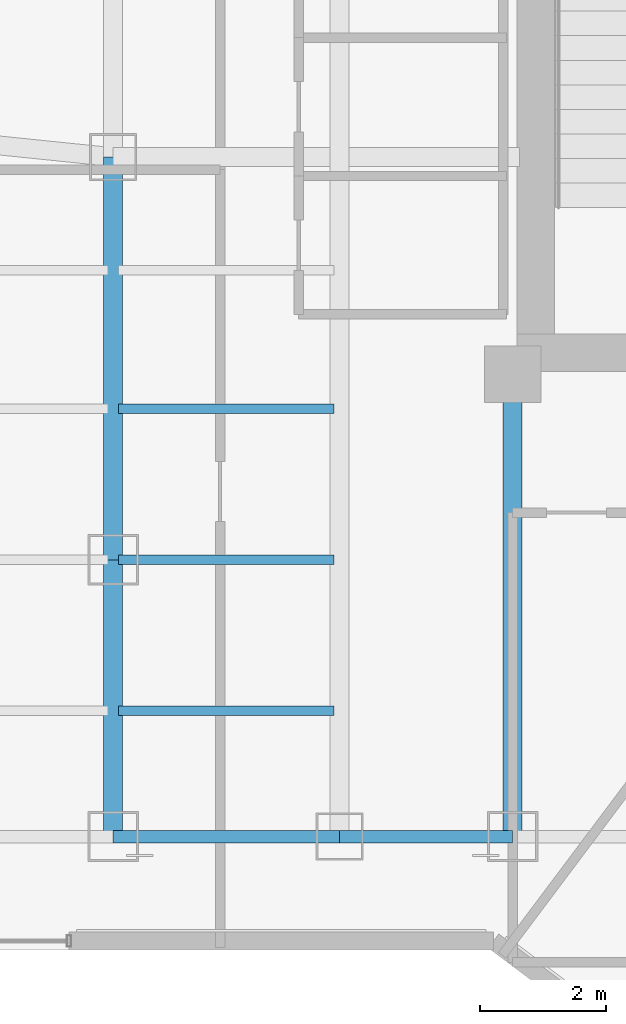
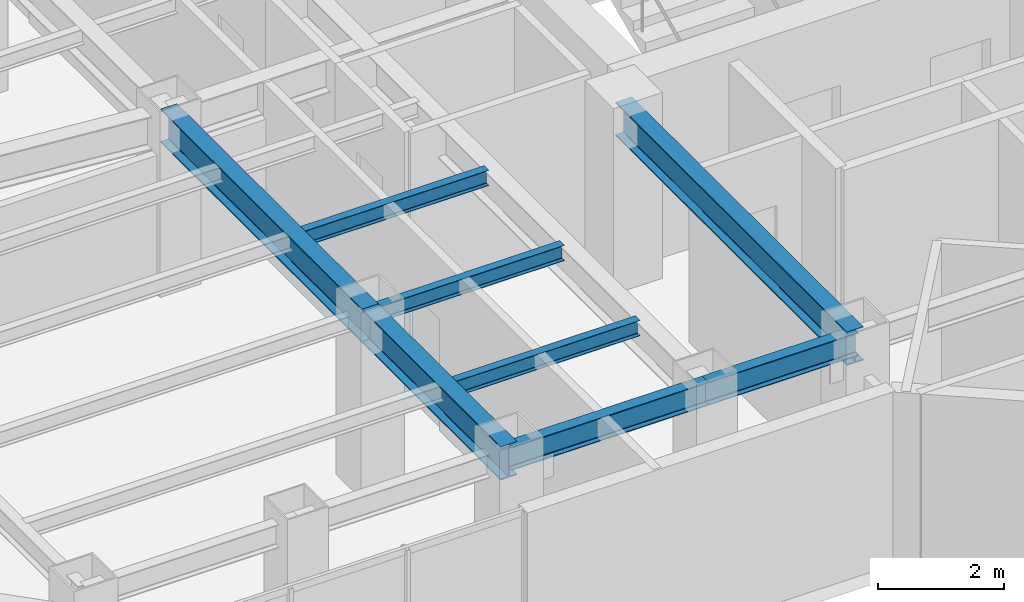
# One storey, part 5 of 27: 8 beams.
"""IFC4 building model written with IfcOpenShell, lengths in metres."""

from ifc_helpers import new_model, si_unit, direction, frame, origin, origin_2d, place, context, subcontext, project, spatial, i_section, extrude, material, material_profile, profile_set, type_object, element, save


model = new_model("IFC4")

# Units and contexts
model_context = context("Model", 3, precision=1e-05, world=origin(), true_north=direction((0.0, 1.0)))
body_context = subcontext(model_context, "Body", "Model", "MODEL_VIEW")
ifc_project = project(units=[si_unit("LENGTHUNIT", "METRE"), si_unit("AREAUNIT", "SQUARE_METRE"), si_unit("VOLUMEUNIT", "CUBIC_METRE"), si_unit("PLANEANGLEUNIT", "RADIAN"), si_unit("MASSUNIT", "GRAM", prefix="KILO")], contexts=[model_context])

# Site, building, storey
site_placement = place(None, origin())
site = spatial("IfcSite", under=ifc_project, at=site_placement, CompositionType="ELEMENT")
building_placement = place(site_placement, origin())
building = spatial("IfcBuilding", under=site, at=building_placement, Name="Hatsunagi Terrace Concourse", CompositionType="ELEMENT")
storey_placement = place(building_placement, frame((0.0, 0.0, 174.449951171875)))
storey = spatial("IfcBuildingStorey", under=building, at=storey_placement, Name="L46", CompositionType="ELEMENT", Elevation=174.449951171875)

# Beams
ifc_material_1 = material(Name="Steel SN490B", Category="steel")
ifc_material_profile_1 = material_profile(ifc_material_1, i_section(OverallWidth=0.14990234375, OverallDepth=0.300048828125, WebThickness=0.006591796875, FlangeThickness=0.009033203125, FilletRadius=0.010986328125, at=origin_2d()), Name="H-300x150x6.5x9")
ifc_profile_set_1 = profile_set([ifc_material_profile_1], Name="Steel SN490B")
beam_type_1 = type_object("IfcBeamType", Name="OfficeJoist_H_300x150", PredefinedType="JOIST", material=ifc_profile_set_1)
for number, where, z_axis, x_axis, name in (
    (1, (19.284912109375, 27.199951171875, 3.199951171875), (1.0, 0.0, 0.0), (0.0, 1.0, 0.0), "Beam J-03 J-L46-W-19-272"),
    (2, (19.284912109375, 29.60009765625, 3.199951171875), (1.0, 0.0, 0.0), (0.0, 1.0, 0.0), "Beam J-03 J-L46-W-19-296"),
    (3, (19.284912109375, 32.0, 3.199951171875), (1.0, 0.0, 0.0), (0.0, 1.0, 0.0), "Beam J-03 J-L46-W-19-320"),
):
    element("IfcBeam", number, at=place(storey_placement, frame(where, z_axis=z_axis, x_axis=x_axis)), inside=storey, type_object=beam_type_1, Name=name, PredefinedType="JOIST", context=body_context, shape_type="SweptSolid", body=[
        extrude(i_section(OverallWidth=0.14990234375, OverallDepth=0.300048828125, WebThickness=0.006591796875, FlangeThickness=0.009033203125, FilletRadius=0.010986328125, at=origin_2d()), origin(), (0.0, 0.0, 1.0), 3.43017578125),
    ])
ifc_material_2 = material(Name="Steel SN490B", Category="steel")
ifc_material_profile_2 = material_profile(ifc_material_2, i_section(OverallWidth=0.300048828125, OverallDepth=0.64990234375, WebThickness=0.012939453125, FlangeThickness=0.02197265625, FilletRadius=0.01806640625, at=origin_2d()), Name="H-650x300x13x22")
ifc_profile_set_2 = profile_set([ifc_material_profile_2], Name="Steel SN490B")
beam_type_2 = type_object("IfcBeamType", Name="OfficeLowGirder_H_650x300", PredefinedType="BEAM", material=ifc_profile_set_2)
beam_1_placement = place(storey_placement, frame((25.550048828125, 25.199951171875, 3.025146484375), z_axis=(0.0, 1.0, 0.0), x_axis=(-1.0, 0.0, 0.0)))
element("IfcBeam", 4, at=beam_1_placement, inside=storey, type_object=beam_type_2, Name="Beam G-05 BM-L46-K1CA", PredefinedType="BEAM", context=body_context, shape_type="SweptSolid", body=[
    extrude(i_section(OverallWidth=0.300048828125, OverallDepth=0.64990234375, WebThickness=0.012939453125, FlangeThickness=0.02197265625, FilletRadius=0.01806640625, at=origin_2d()), origin(), (0.0, 0.0, 1.0), 7.35009765625),
])
beam_2_placement = place(storey_placement, frame((19.199951171875, 25.199951171875, 3.025146484375), z_axis=(0.0, 1.0, 0.0), x_axis=(-1.0, 0.0, 0.0)))
element("IfcBeam", 5, at=beam_2_placement, inside=storey, type_object=beam_type_2, Name="Beam G-05 BM-L46-NS-19-25", PredefinedType="BEAM", context=body_context, shape_type="SweptSolid", body=[
    extrude(i_section(OverallWidth=0.300048828125, OverallDepth=0.64990234375, WebThickness=0.012939453125, FlangeThickness=0.02197265625, FilletRadius=0.01806640625, at=origin_2d()), origin(), (0.0, 0.0, 1.0), 4.400146484375),
])
beam_3_placement = place(storey_placement, frame((19.199951171875, 29.60009765625, 3.025146484375), z_axis=(0.0, 1.0, 0.0), x_axis=(-1.0, 0.0, 0.0)))
element("IfcBeam", 6, at=beam_3_placement, inside=storey, type_object=beam_type_2, Name="Beam G-05 BM-L46-NS-19-29", PredefinedType="BEAM", context=body_context, shape_type="SweptSolid", body=[
    extrude(i_section(OverallWidth=0.300048828125, OverallDepth=0.64990234375, WebThickness=0.012939453125, FlangeThickness=0.02197265625, FilletRadius=0.01806640625, at=origin_2d()), origin(), (0.0, 0.0, 1.0), 6.39990234375),
])
ifc_material_3 = material(Name="Steel SN490B", Category="steel")
ifc_material_profile_3 = material_profile(ifc_material_3, i_section(OverallWidth=0.199951171875, OverallDepth=0.449951171875, WebThickness=0.009033203125, FlangeThickness=0.013916015625, FilletRadius=0.01611328125, at=origin_2d()), Name="H-450x200x9x14")
ifc_profile_set_3 = profile_set([ifc_material_profile_3], Name="Steel SN490B")
beam_type_3 = type_object("IfcBeamType", Name="PerimeterSpandrel_H_450x200", PredefinedType="SPANDREL", material=ifc_profile_set_3)
beam_4_placement = place(storey_placement, frame((19.199951171875, 25.199951171875, 3.125), z_axis=(1.0, 0.0, 0.0), x_axis=(0.0, 1.0, 0.0)))
element("IfcBeam", 7, at=beam_4_placement, inside=storey, type_object=beam_type_3, Name="Beam SP-02 BM-L46-WS-19", PredefinedType="SPANDREL", context=body_context, shape_type="SweptSolid", body=[
    extrude(i_section(OverallWidth=0.199951171875, OverallDepth=0.449951171875, WebThickness=0.009033203125, FlangeThickness=0.013916015625, FilletRadius=0.01611328125, at=origin_2d()), origin(), (0.0, 0.0, 1.0), 3.60009765625),
])
beam_5_placement = place(storey_placement, frame((22.800048828125, 25.199951171875, 3.125), z_axis=(1.0, 0.0, 0.0), x_axis=(0.0, 1.0, 0.0)))
element("IfcBeam", 8, at=beam_5_placement, inside=storey, type_object=beam_type_3, Name="Beam SP-02 BM-L46-WS-22", PredefinedType="SPANDREL", context=body_context, shape_type="SweptSolid", body=[
    extrude(i_section(OverallWidth=0.199951171875, OverallDepth=0.449951171875, WebThickness=0.009033203125, FlangeThickness=0.013916015625, FilletRadius=0.01611328125, at=origin_2d()), origin(), (0.0, 0.0, 1.0), 2.75),
])

save(model, "model.ifc")
